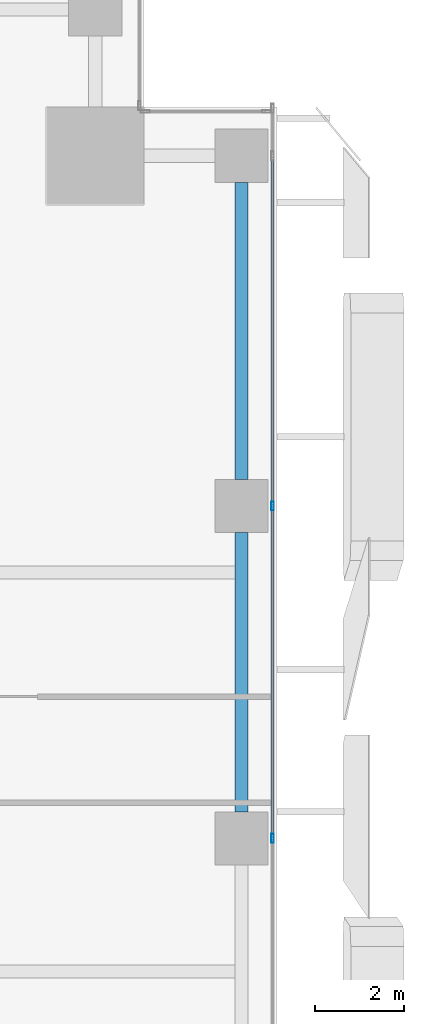
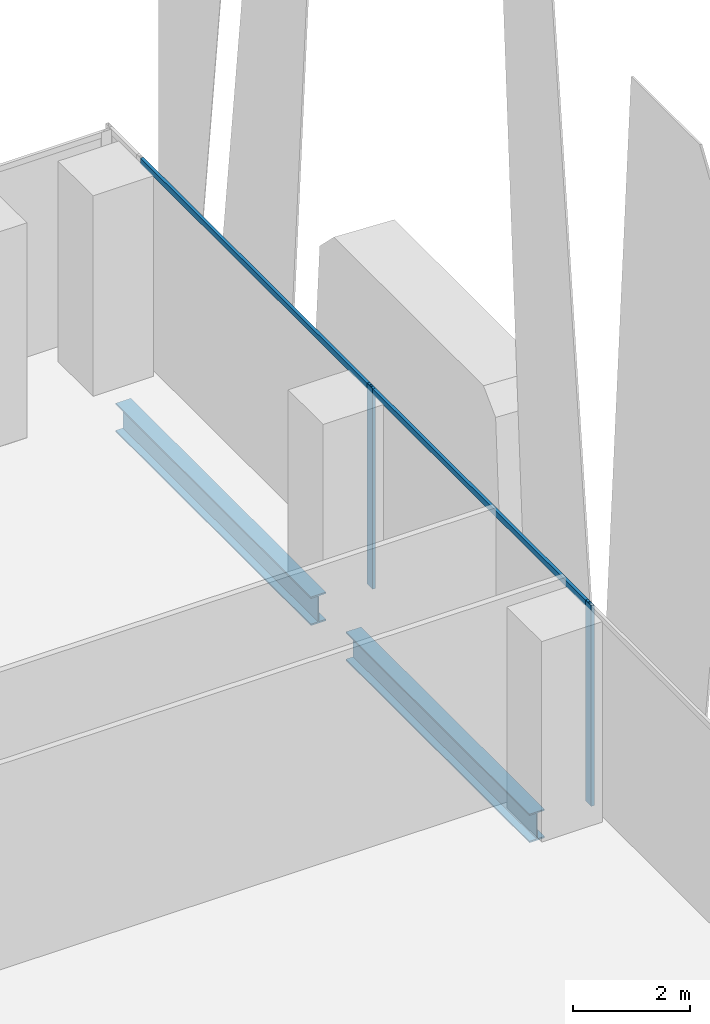
# One storey, part 18 of 36: 4 members, 2 beams, 1 element without a shape of its own.
"""IFC4 building model written with IfcOpenShell, lengths in metres."""

import ifcopenshell
import ifcopenshell.guid

model = None  # the IFC model being written
_history = None  # IfcOwnerHistory: only IFC2X3 demands one
_inside = {}  # id of a spatial element -> (the spatial element, [elements in it])
_under = {}  # id of a project, library or spatial element -> (it, [spatial elements below it])
_declared = {}  # id of a project -> (the project, [libraries it declares])
_typed = {}  # id of a type object -> (the type object, [elements of that type])
_made_of = {}  # id of a material, layer set ... -> (it, [elements and type objects made of it])


def new_model(schema):
    """Start an empty IFC model of exactly this schema.

    Asked for "IFC4X3", IfcOpenShell would pick the latest addendum, in which some entities
    have other attributes; the version numbers below select the first issue.
    IFC2X3 requires an IfcOwnerHistory on every rooted entity: one is made here for all.
    """
    global model, _history
    if schema == "IFC4X3":
        model = ifcopenshell.file(schema_version=(4, 3, 0, 0))
    else:
        model = ifcopenshell.file(schema=schema)
    _inside.clear()
    _under.clear()
    _declared.clear()
    _typed.clear()
    _made_of.clear()
    _history = None
    if model.schema == "IFC2X3":
        org = make("IfcOrganization", Name="unknown")
        user = make(
            "IfcPersonAndOrganization",
            ThePerson=make("IfcPerson", FamilyName="unknown"),
            TheOrganization=org,
        )
        app = make(
            "IfcApplication",
            ApplicationDeveloper=org,
            Version="unknown",
            ApplicationFullName="unknown",
            ApplicationIdentifier="unknown",
        )
        _history = make(
            "IfcOwnerHistory",
            OwningUser=user,
            OwningApplication=app,
            ChangeAction="ADDED",
            CreationDate=0,
        )
    return model


def make(cls, **values):
    """One entity of the class cls with the attributes given. An attribute that is None is left unset."""
    return model.create_entity(
        cls, **{name: value for name, value in values.items() if value is not None}
    )


def rooted(cls, **values):
    """An entity with a GlobalId (a new one), such as an element, a storey or a relation."""
    return make(cls, GlobalId=ifcopenshell.guid.new(), OwnerHistory=_history, **values)


def si_unit(unit_type, name, prefix=None):
    """IfcSIUnit, for example si_unit("LENGTHUNIT", "METRE", prefix="MILLI")."""
    return make("IfcSIUnit", UnitType=unit_type, Prefix=prefix, Name=name)


def assignment(units):
    """IfcUnitAssignment: the units of a project."""
    return None if units is None else make("IfcUnitAssignment", Units=units)


def point(xyz):
    """IfcCartesianPoint."""
    return None if xyz is None else make("IfcCartesianPoint", Coordinates=xyz)


def direction(xyz):
    """IfcDirection."""
    return None if xyz is None else make("IfcDirection", DirectionRatios=xyz)


def frame(location, z_axis=None, x_axis=None):
    """IfcAxis2Placement3D, a coordinate frame: its origin and axes. An axis left out is left unset."""
    return make(
        "IfcAxis2Placement3D",
        Location=point(location),
        Axis=direction(z_axis),
        RefDirection=direction(x_axis),
    )


def frame_2d(location, x_axis=None):
    """IfcAxis2Placement2D, a coordinate frame in the plane: its origin and x axis."""
    return make(
        "IfcAxis2Placement2D", Location=point(location), RefDirection=direction(x_axis)
    )


def origin():
    """The frame at (0, 0, 0) with its axes left unset."""
    return frame((0.0, 0.0, 0.0))


def origin_2d():
    """The frame at (0, 0) in the plane with its x axis left unset."""
    return frame_2d((0.0, 0.0))


def place(relative_to, where):
    """IfcLocalPlacement: puts the frame where relative to a parent placement (None: the world)."""
    return make(
        "IfcLocalPlacement", PlacementRelTo=relative_to, RelativePlacement=where
    )


def context(
    kind, dimensions, precision=None, world=None, true_north=None, identifier=None
):
    """IfcGeometricRepresentationContext, for example the 3D "Model" context."""
    return make(
        "IfcGeometricRepresentationContext",
        ContextIdentifier=identifier,
        ContextType=kind,
        CoordinateSpaceDimension=dimensions,
        Precision=precision,
        WorldCoordinateSystem=world,
        TrueNorth=true_north,
    )


def subcontext(parent, identifier, kind, view, scale=None):
    """IfcGeometricRepresentationSubContext, for example "Body" below "Model"."""
    return make(
        "IfcGeometricRepresentationSubContext",
        ContextIdentifier=identifier,
        ContextType=kind,
        ParentContext=parent,
        TargetScale=scale,
        TargetView=view,
    )


def project(units=None, contexts=None):
    """IfcProject with its units and contexts."""
    return rooted(
        "IfcProject",
        Name="project",
        RepresentationContexts=contexts,
        UnitsInContext=assignment(units),
    )


def spatial(cls, under=None, at=None, **own):
    """A site, building, storey or space (cls), placed at a placement, below another one or the project."""
    s = rooted(cls, ObjectPlacement=at, **own)
    if under is not None:
        _under.setdefault(under.id(), (under, []))[1].append(s)
    return s


def profile(cls, at=None, kind="AREA", **sizes):
    """A parametric profile (cls). Its sizes go by their IFC names, for example OverallWidth=200.0."""
    return make(cls, ProfileType=kind, Position=at, **sizes)


def hollow_rectangle(**sizes):
    """IfcRectangleHollowProfileDef."""
    return profile("IfcRectangleHollowProfileDef", **sizes)


def i_section(**sizes):
    """IfcIShapeProfileDef."""
    return profile("IfcIShapeProfileDef", **sizes)


def extrude(swept, where, along, depth):
    """IfcExtrudedAreaSolid: the profile swept, set in the frame where, extruded along a direction by depth."""
    return make(
        "IfcExtrudedAreaSolid",
        SweptArea=swept,
        Position=where,
        ExtrudedDirection=direction(along),
        Depth=depth,
    )


def shape(context_of_items, identifier, shape_type, items):
    """IfcShapeRepresentation: the items that make up one representation, for example the "Body"."""
    return make(
        "IfcShapeRepresentation",
        ContextOfItems=context_of_items,
        RepresentationIdentifier=identifier,
        RepresentationType=shape_type,
        Items=items,
    )


def source(mapping_origin, context_of_items, identifier, shape_type, items):
    """IfcRepresentationMap: a shape defined once, which mapped items show again and again."""
    return make(
        "IfcRepresentationMap",
        MappingOrigin=mapping_origin,
        MappedRepresentation=shape(context_of_items, identifier, shape_type, items),
    )


def transform(
    local_origin,
    x_axis=None,
    y_axis=None,
    z_axis=None,
    scale=None,
    scale2=None,
    scale3=None,
    uniform=True,
):
    """IfcCartesianTransformationOperator3D, or its non-uniform kind. x_axis, y_axis, z_axis: its Axis1, 2, 3."""
    if uniform:
        return make(
            "IfcCartesianTransformationOperator3D",
            Axis1=direction(x_axis),
            Axis2=direction(y_axis),
            LocalOrigin=point(local_origin),
            Scale=scale,
            Axis3=direction(z_axis),
        )
    return make(
        "IfcCartesianTransformationOperator3DnonUniform",
        Axis1=direction(x_axis),
        Axis2=direction(y_axis),
        LocalOrigin=point(local_origin),
        Scale=scale,
        Axis3=direction(z_axis),
        Scale2=scale2,
        Scale3=scale3,
    )


def mapped(mapping_source, mapping_target):
    """IfcMappedItem: shows the shape of a source again, moved by a transform."""
    return make(
        "IfcMappedItem", MappingSource=mapping_source, MappingTarget=mapping_target
    )


def material(Name=None, Category=None):
    """IfcMaterial."""
    return make("IfcMaterial", Name=Name, Category=Category)


def material_profile(
    of_material, cross_section, Name=None, Category=None, Priority=None
):
    """IfcMaterialProfile: a cross section and its material."""
    return make(
        "IfcMaterialProfile",
        Name=Name,
        Material=of_material,
        Profile=cross_section,
        Priority=Priority,
        Category=Category,
    )


def profile_set(profiles, Name=None, composite=None):
    """IfcMaterialProfileSet."""
    return make(
        "IfcMaterialProfileSet",
        Name=Name,
        MaterialProfiles=profiles,
        CompositeProfile=composite,
    )


def made_of(thing, what):
    """Note that an element or type object is made of a material, layer set ...; save() writes the relation."""
    if what is not None:
        _made_of.setdefault(what.id(), (what, []))[1].append(thing)
    return thing


def type_object(cls, material=None, **own):
    """A type object (cls), such as IfcWallType, which elements share."""
    return made_of(rooted(cls, **own), material)


def element(
    cls,
    number,
    at=None,
    inside=None,
    cuts=None,
    type_object=None,
    material=None,
    context=None,
    identifier="Body",
    shape_type=None,
    held_by="IfcProductDefinitionShape",
    body=None,
    shapes=None,
    **own,
):
    """One element of the class cls, such as IfcWall. Its Tag is "e" and its number.

    at: its placement. inside: the storey or other place that contains it. cuts: it is an
    opening in that element (IfcRelVoidsElement). A single representation is given by context,
    identifier, shape_type and body (its items); several are given by shapes. held_by: the class
    of the entity that holds the representations. save() writes the other relations.
    """
    e = rooted(cls, Tag="e%d" % number, ObjectPlacement=at, **own)
    if body is not None:
        shapes = [shape(context, identifier, shape_type, body)]
    if shapes is not None:
        e.Representation = make(held_by, Representations=shapes)
    if inside is not None:
        _inside.setdefault(inside.id(), (inside, []))[1].append(e)
    if cuts is not None:
        rooted(
            "IfcRelVoidsElement", RelatingBuildingElement=cuts, RelatedOpeningElement=e
        )
    if type_object is not None:
        _typed.setdefault(type_object.id(), (type_object, []))[1].append(e)
    return made_of(e, material)


def aggregate(whole, parts):
    """IfcRelAggregates: a whole, such as a stair, and the parts it consists of."""
    return rooted("IfcRelAggregates", RelatingObject=whole, RelatedObjects=parts)


def save(model, path):
    """Write the relations noted so far, then the file.

    IfcRelAggregates (storeys below a building ...), IfcRelContainedInSpatialStructure (elements
    in a storey), IfcRelDefinesByType, IfcRelAssociatesMaterial and IfcRelDeclares: one each for
    every whole, place, type object, material and project.
    """
    for whole, parts in _under.values():
        aggregate(whole, parts)
    for where, things in _inside.values():
        rooted(
            "IfcRelContainedInSpatialStructure",
            RelatedElements=things,
            RelatingStructure=where,
        )
    for kind, things in _typed.values():
        rooted("IfcRelDefinesByType", RelatedObjects=things, RelatingType=kind)
    for what, things in _made_of.values():
        rooted("IfcRelAssociatesMaterial", RelatedObjects=things, RelatingMaterial=what)
    for by, libraries in _declared.values():
        rooted("IfcRelDeclares", RelatingContext=by, RelatedDefinitions=libraries)
    model.write(path)


model = new_model("IFC4")

# Units and contexts
model_context = context("Model", 3, precision=1e-05, world=origin(), true_north=direction((0.0, 1.0)))
body_context = subcontext(model_context, "Body", "Model", "MODEL_VIEW")
ifc_project = project(units=[si_unit("LENGTHUNIT", "METRE"), si_unit("AREAUNIT", "SQUARE_METRE"), si_unit("VOLUMEUNIT", "CUBIC_METRE"), si_unit("PLANEANGLEUNIT", "RADIAN"), si_unit("MASSUNIT", "GRAM", prefix="KILO")], contexts=[model_context])

# Site, building, storey
site_placement = place(None, origin())
site = spatial("IfcSite", under=ifc_project, at=site_placement, CompositionType="ELEMENT")
building_placement = place(site_placement, origin())
building = spatial("IfcBuilding", under=site, at=building_placement, Name="Khomas Fold Tower", CompositionType="ELEMENT")
storey_placement = place(building_placement, frame((0.0, 0.0, 46.5)))
storey = spatial("IfcBuildingStorey", under=building, at=storey_placement, Name="L09", CompositionType="ELEMENT", Elevation=46.5)

# Beams
ifc_material_1 = material(Name="Steel S355", Category="steel")
ifc_material_profile_1 = material_profile(ifc_material_1, i_section(OverallWidth=0.300048828125, OverallDepth=0.60009765625, WebThickness=0.015380859375, FlangeThickness=0.030029296875, at=origin_2d()), Name="HE 600 B")
ifc_profile_set_1 = profile_set([ifc_material_profile_1], Name="Steel S355")
beam_type = type_object("IfcBeamType", Name="HE 600 B spandrel SB1", PredefinedType="SPANDREL", material=ifc_profile_set_1)
shared_shape_1 = source(origin(), body_context, "Body", "SweptSolid", [
    extrude(i_section(OverallWidth=0.300048828125, OverallDepth=0.60009765625, WebThickness=0.015380859375, FlangeThickness=0.030029296875, at=origin_2d()), origin(), (0.0, 0.0, 1.0), 6.699951171875),
])
beam_1_placement = place(storey_placement, frame((53.199951171875, 42.60009765625, -0.60009765625), z_axis=(0.0, 1.0, 0.0), x_axis=(-1.0, 0.0, 0.0)))
element("IfcBeam", 1, at=beam_1_placement, inside=storey, type_object=beam_type, Name="SB1", PredefinedType="SPANDREL", context=body_context, shape_type="MappedRepresentation", body=[
    mapped(shared_shape_1, transform((0.0, 0.0, 0.0))),
])
shared_shape_2 = source(origin(), body_context, "Body", "SweptSolid", [
    extrude(i_section(OverallWidth=0.300048828125, OverallDepth=0.60009765625, WebThickness=0.015380859375, FlangeThickness=0.030029296875, at=origin_2d()), origin(), (0.0, 0.0, 1.0), 6.2998046875),
])
beam_2_placement = place(storey_placement, frame((53.199951171875, 35.10009765625, -0.60009765625), z_axis=(0.0, 1.0, 0.0), x_axis=(-1.0, 0.0, 0.0)))
element("IfcBeam", 2, at=beam_2_placement, inside=storey, type_object=beam_type, Name="SB1", PredefinedType="SPANDREL", context=body_context, shape_type="MappedRepresentation", body=[
    mapped(shared_shape_2, transform((0.0, 0.0, 0.0))),
])

# Curtain wall, members
ifc_material_2 = material(Name="Aluminium framed double glazing", Category="aluminium")
curtain_wall_type = type_object("IfcCurtainWallType", Name="SK-Unitised clear-glass wall, growing floors CW1", PredefinedType="NOTDEFINED", material=ifc_material_2)
curtain_wall_placement = place(storey_placement, origin())
curtain_wall = element("IfcCurtainWall", 3, at=curtain_wall_placement, inside=storey, type_object=curtain_wall_type, Name="CW1 run L09 03-0", PredefinedType="NOTDEFINED")
ifc_material_3 = material(Name="Aluminium", Category="aluminium")
ifc_material_profile_2 = material_profile(ifc_material_3, hollow_rectangle(XDim=0.06005859375, YDim=0.1201171875, WallThickness=0.00390625, at=origin_2d()), Name="SK-Unitised clear-glass wall, growing floors transom CW1-T")
ifc_profile_set_2 = profile_set([ifc_material_profile_2], Name="Aluminium")
member_type_1 = type_object("IfcMemberType", Name="SK-Unitised clear-glass wall, growing floors transom CW1-T", PredefinedType="USERDEFINED", material=ifc_profile_set_2)
shared_shape_3 = source(origin(), body_context, "Body", "SweptSolid", [
    extrude(hollow_rectangle(XDim=0.06005859375, YDim=0.1201171875, WallThickness=0.00390625, at=origin_2d()), origin(), (0.0, 0.0, 1.0), 7.840087890625),
])
member_1_placement = place(storey_placement, frame((53.89990234375, 42.030029296875, 4.139892578125), z_axis=(0.0, 1.0, 0.0), x_axis=(-1.0, 0.0, 0.0)))
member_1 = element("IfcMember", 4, at=member_1_placement, type_object=member_type_1, Name="CW1 transom 7", ObjectType="TRANSOM", PredefinedType="USERDEFINED", context=body_context, shape_type="MappedRepresentation", body=[
    mapped(shared_shape_3, transform((0.0, 0.0, 0.0))),
])
shared_shape_4 = source(origin(), body_context, "Body", "SweptSolid", [
    extrude(hollow_rectangle(XDim=0.06005859375, YDim=0.1201171875, WallThickness=0.00390625, at=origin_2d()), origin(), (0.0, 0.0, 1.0), 7.43994140625),
])
member_2_placement = place(storey_placement, frame((53.89990234375, 34.530029296875, 4.139892578125), z_axis=(0.0, 1.0, 0.0), x_axis=(-1.0, 0.0, 0.0)))
member_2 = element("IfcMember", 5, at=member_2_placement, type_object=member_type_1, Name="CW1 transom 6", ObjectType="TRANSOM", PredefinedType="USERDEFINED", context=body_context, shape_type="MappedRepresentation", body=[
    mapped(shared_shape_4, transform((0.0, 0.0, 0.0))),
])
ifc_material_4 = material(Name="Aluminium", Category="aluminium")
ifc_material_profile_3 = material_profile(ifc_material_4, hollow_rectangle(XDim=0.06005859375, YDim=0.199951171875, WallThickness=0.00390625, at=origin_2d()), Name="SK-Unitised clear-glass wall, growing floors mullion CW1-M")
ifc_profile_set_3 = profile_set([ifc_material_profile_3], Name="Aluminium")
member_type_2 = type_object("IfcMemberType", Name="SK-Unitised clear-glass wall, growing floors mullion CW1-M", PredefinedType="MULLION", material=ifc_profile_set_3)
shared_shape_5 = source(origin(), body_context, "Body", "SweptSolid", [
    extrude(hollow_rectangle(XDim=0.06005859375, YDim=0.199951171875, WallThickness=0.00390625, at=origin_2d()), origin(), (0.0, 0.0, 1.0), 4.199951171875),
])
member_3_placement = place(storey_placement, frame((53.89990234375, 34.5, 0.0), z_axis=(0.0, 0.0, 1.0), x_axis=(-1.0, 0.0, 0.0)))
member_3 = element("IfcMember", 6, at=member_3_placement, type_object=member_type_2, Name="CW1 mullion 6", PredefinedType="MULLION", context=body_context, shape_type="MappedRepresentation", body=[
    mapped(shared_shape_5, transform((0.0, 0.0, 0.0))),
])
member_4_placement = place(storey_placement, frame((53.89990234375, 42.0, 0.0), z_axis=(0.0, 0.0, 1.0), x_axis=(-1.0, 0.0, 0.0)))
member_4 = element("IfcMember", 7, at=member_4_placement, type_object=member_type_2, Name="CW1 mullion 7", PredefinedType="MULLION", context=body_context, shape_type="MappedRepresentation", body=[
    mapped(shared_shape_5, transform((0.0, 0.0, 0.0))),
])
aggregate(curtain_wall, [member_3, member_4, member_2, member_1])

save(model, "model.ifc")
